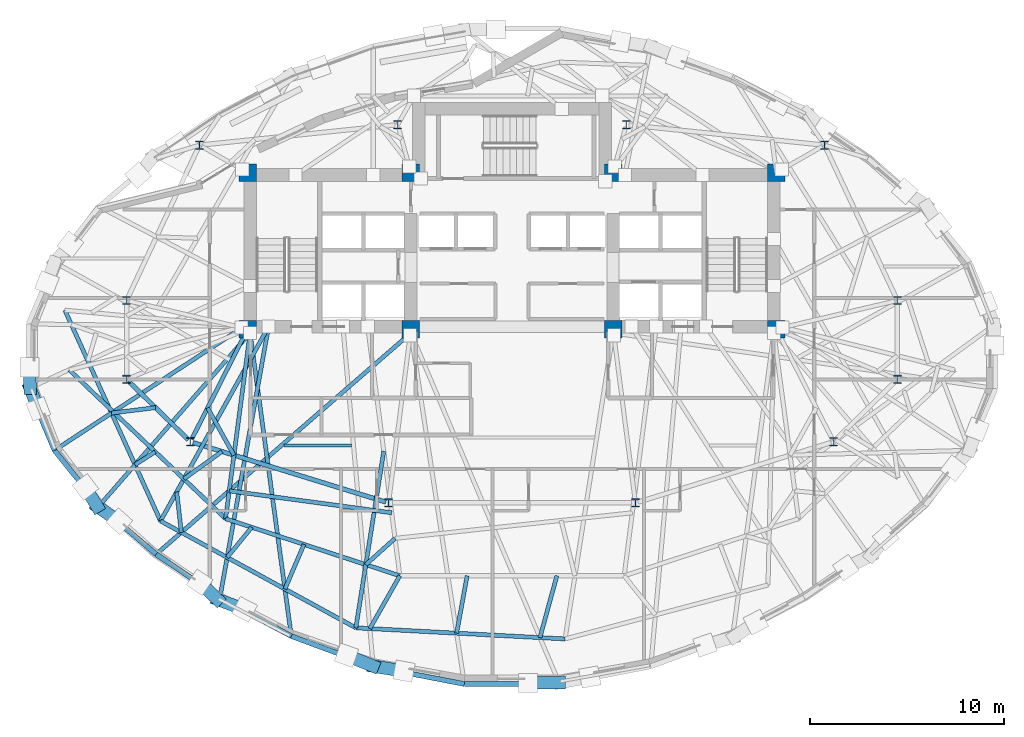
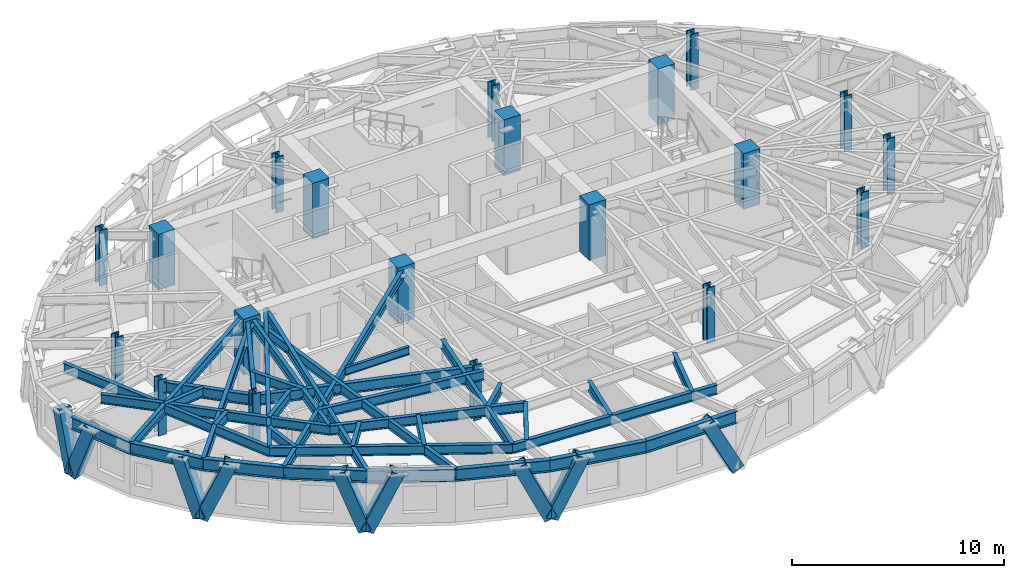
# One storey, part 1 of 14: 37 beams, 20 columns, 9 members.
"""IFC4 building model written with IfcOpenShell, lengths in metres."""

from ifc_helpers import new_model, si_unit, direction, frame, origin, origin_2d, place, context, subcontext, project, spatial, rectangle, hollow_rectangle, i_section, extrude, material, material_profile, profile_set, type_object, element, save


model = new_model("IFC4")

# Units and contexts
model_context = context("Model", 3, precision=1e-05, world=origin(), true_north=direction((0.0, 1.0)))
body_context = subcontext(model_context, "Body", "Model", "MODEL_VIEW")
ifc_project = project(units=[si_unit("LENGTHUNIT", "METRE"), si_unit("AREAUNIT", "SQUARE_METRE"), si_unit("VOLUMEUNIT", "CUBIC_METRE"), si_unit("PLANEANGLEUNIT", "RADIAN"), si_unit("MASSUNIT", "GRAM", prefix="KILO")], contexts=[model_context])

# Site, building, storey
site_placement = place(None, origin())
site = spatial("IfcSite", under=ifc_project, at=site_placement, CompositionType="ELEMENT")
building_placement = place(site_placement, origin())
building = spatial("IfcBuilding", under=site, at=building_placement, Name="Keldmark Tower", CompositionType="ELEMENT")
storey_placement = place(building_placement, frame((0.0, 0.0, 175.800048828125)))
storey = spatial("IfcBuildingStorey", under=building, at=storey_placement, Name="L48", CompositionType="ELEMENT", Elevation=175.800048828125)

# Columns
ifc_material_1 = material(Name="Concrete C50/60", Category="concrete")
ifc_material_profile_1 = material_profile(ifc_material_1, rectangle(XDim=0.89990234375, YDim=0.89990234375, at=origin_2d()), Name="RC900X900")
ifc_profile_set_1 = profile_set([ifc_material_profile_1], Name="Concrete C50/60")
column_type_1 = type_object("IfcColumnType", Name="Core Boundary Column RC900", PredefinedType="COLUMN", material=ifc_profile_set_1)
for number, where, z_axis, x_axis, name in (
    (1, (-13.60009765625, 1.39990234375, 0.0), (0.0, 0.0, 1.0), (1.0, 0.0, 0.0), "L48 Core Boundary Column CC-W1"),
    (2, (-13.60009765625, 9.449951171875, 0.0), (0.0, 0.0, 1.0), (1.0, 0.0, 0.0), "L48 Core Boundary Column CC-W2"),
    (3, (-5.199951171875, 1.39990234375, 0.0), (0.0, 0.0, 1.0), (1.0, 0.0, 0.0), "L48 Core Boundary Column CC-W3"),
    (4, (-5.199951171875, 9.449951171875, 0.0), (0.0, 0.0, 1.0), (1.0, 0.0, 0.0), "L48 Core Boundary Column CC-W4"),
    (5, (5.199951171875, 1.39990234375, 0.0), (0.0, 0.0, 1.0), (1.0, 0.0, 0.0), "L48 Core Boundary Column CC-E1"),
    (6, (5.199951171875, 9.449951171875, 0.0), (0.0, 0.0, 1.0), (1.0, 0.0, 0.0), "L48 Core Boundary Column CC-E2"),
    (7, (13.60009765625, 1.39990234375, 0.0), (0.0, 0.0, 1.0), (1.0, 0.0, 0.0), "L48 Core Boundary Column CC-E3"),
    (8, (13.60009765625, 9.449951171875, 0.0), (0.0, 0.0, 1.0), (1.0, 0.0, 0.0), "L48 Core Boundary Column CC-E4"),
):
    element("IfcColumn", number, at=place(storey_placement, frame(where, z_axis=z_axis, x_axis=x_axis)), inside=storey, type_object=column_type_1, Name=name, PredefinedType="COLUMN", context=body_context, shape_type="SweptSolid", body=[
        extrude(rectangle(XDim=0.89990234375, YDim=0.89990234375, at=origin_2d()), origin(), (0.0, 0.0, 1.0), 3.199951171875),
    ])
ifc_material_2 = material(Name="Steel ASTM A992 Grade 50", Category="steel")
ifc_material_profile_2 = material_profile(ifc_material_2, i_section(OverallWidth=0.412109375, OverallDepth=0.43505859375, WebThickness=0.035888671875, FlangeThickness=0.057373046875, at=origin_2d()), Name="W14X311")
ifc_profile_set_2 = profile_set([ifc_material_profile_2], Name="Steel ASTM A992 Grade 50")
column_type_2 = type_object("IfcColumnType", Name="Tower Gravity Column W14X311", PredefinedType="COLUMN", material=ifc_profile_set_2)
for number, where, z_axis, x_axis, name in (
    (9, (19.828369140625, 2.869140625, 0.0), (0.0, 0.0, 1.0), (1.0, 0.0, 0.0), "L48 Tower Gravity Column TC-E1"),
    (10, (16.08154296875, 10.861083984375, 0.0), (0.0, 0.0, 1.0), (1.0, 0.0, 0.0), "L48 Tower Gravity Column TC-E4"),
    (11, (5.880126953125, 11.915283203125, 0.0), (0.0, 0.0, 1.0), (1.0, 0.0, 0.0), "L48 Tower Gravity Column TC-N2"),
    (12, (-5.880126953125, 11.915283203125, 0.0), (0.0, 0.0, 1.0), (1.0, 0.0, 0.0), "L48 Tower Gravity Column TC-N1"),
    (13, (-16.08154296875, 10.861083984375, 0.0), (0.0, 0.0, 1.0), (1.0, 0.0, 0.0), "L48 Tower Gravity Column TC-W4"),
    (14, (-19.828369140625, 2.869140625, 0.0), (0.0, 0.0, 1.0), (1.0, 0.0, 0.0), "L48 Tower Gravity Column TC-W1"),
    (15, (-19.828369140625, -1.189208984375, 0.0), (0.0, 0.0, 1.0), (1.0, 0.0, 0.0), "L48 Tower Gravity Column TC-W5"),
    (16, (-16.546630859375, -4.3984375, 0.0), (0.0, 0.0, 1.0), (1.0, 0.0, 0.0), "L48 Tower Gravity Column TC-W2"),
    (17, (-6.351318359375, -7.546142578125, 0.0), (0.0, 0.0, 1.0), (1.0, 0.0, 0.0), "L48 Tower Gravity Column TC-W3"),
    (18, (6.351318359375, -7.546142578125, 0.0), (0.0, 0.0, 1.0), (1.0, 0.0, 0.0), "L48 Tower Gravity Column TC-E3"),
    (19, (16.546630859375, -4.3984375, 0.0), (0.0, 0.0, 1.0), (1.0, 0.0, 0.0), "L48 Tower Gravity Column TC-E2"),
    (20, (19.828369140625, -1.189208984375, 0.0), (0.0, 0.0, 1.0), (1.0, 0.0, 0.0), "L48 Tower Gravity Column TC-E5"),
):
    element("IfcColumn", number, at=place(storey_placement, frame(where, z_axis=z_axis, x_axis=x_axis)), inside=storey, type_object=column_type_2, Name=name, PredefinedType="COLUMN", context=body_context, shape_type="SweptSolid", body=[
        extrude(i_section(OverallWidth=0.412109375, OverallDepth=0.43505859375, WebThickness=0.035888671875, FlangeThickness=0.057373046875, at=origin_2d()), origin(), (0.0, 0.0, 1.0), 3.199951171875),
    ])

# Beam
ifc_material_3 = material(Name="Steel ASTM A992 Grade 50", Category="steel")
ifc_material_profile_3 = material_profile(ifc_material_3, i_section(OverallWidth=0.153076171875, OverallDepth=0.455078125, WebThickness=0.008056640625, FlangeThickness=0.01318359375, at=origin_2d()), Name="W18X40")
ifc_profile_set_3 = profile_set([ifc_material_profile_3], Name="Steel ASTM A992 Grade 50")
beam_type_1 = type_object("IfcBeamType", Name="Composite Floor Joist W18X40", PredefinedType="JOIST", material=ifc_profile_set_3)
beam_1_placement = place(storey_placement, frame((-11.728515625, -4.60009765625, 2.79248046875), z_axis=(1.0, 0.0, 0.0), x_axis=(0.0, 1.0, 0.0)))
element("IfcBeam", 21, at=beam_1_placement, inside=storey, type_object=beam_type_1, Name="L48 Composite Floor Joist J01", PredefinedType="JOIST", context=body_context, shape_type="SweptSolid", body=[
    extrude(i_section(OverallWidth=0.153076171875, OverallDepth=0.455078125, WebThickness=0.008056640625, FlangeThickness=0.01318359375, at=origin_2d()), origin(), (0.0, 0.0, 1.0), 3.478515625),
])

# Members
ifc_material_4 = material(Name="Steel ASTM A572 Grade 50", Category="steel")
ifc_material_profile_4 = material_profile(ifc_material_4, hollow_rectangle(XDim=0.64990234375, YDim=0.64990234375, WallThickness=0.0400390625, at=origin_2d()), Name="BOX650X650X40")
ifc_profile_set_4 = profile_set([ifc_material_profile_4], Name="Steel ASTM A572 Grade 50")
member_type = type_object("IfcMemberType", Name="Diagrid Zone 3 Brace BOX650X650X40", PredefinedType="BRACE", material=ifc_profile_set_4)
member_1_placement = place(storey_placement, frame((-24.7958984375, -1.665283203125, -0.260009765625), z_axis=(-0.006709048193, 0.330274774631, 0.943860986541), x_axis=(-0.999793743978, -0.020309345208, 0.0)))
element("IfcMember", 22, at=member_1_placement, inside=storey, type_object=member_type, Name="L48 Perimeter Diagrid Brace 08B", PredefinedType="BRACE", context=body_context, shape_type="SweptSolid", body=[
    extrude(hollow_rectangle(XDim=0.64990234375, YDim=0.64990234375, WallThickness=0.0400390625, at=origin_2d()), origin(), (0.0, 0.0, 1.0), 3.347900390625),
])
member_2_placement = place(storey_placement, frame((-24.7958984375, -1.653564453125, -0.260009765625), z_axis=(0.126271665674, -0.315897124482, 0.940353376764), x_axis=(0.928565034842, 0.371169740238, 0.0)))
element("IfcMember", 23, at=member_2_placement, inside=storey, type_object=member_type, Name="L48 Perimeter Diagrid Brace 09A", PredefinedType="BRACE", context=body_context, shape_type="SweptSolid", body=[
    extrude(hollow_rectangle(XDim=0.64990234375, YDim=0.64990234375, WallThickness=0.0400390625, at=origin_2d()), origin(), (0.0, 0.0, 1.0), 3.3603515625),
])
member_3_placement = place(storey_placement, frame((-21.343017578125, -7.73681640625, -0.260009765625), z_axis=(-0.179834948467, 0.2993629275, 0.937038541869), x_axis=(-0.857218425589, -0.514952979242, 0.0)))
element("IfcMember", 24, at=member_3_placement, inside=storey, type_object=member_type, Name="L48 Perimeter Diagrid Brace 09B", PredefinedType="BRACE", context=body_context, shape_type="SweptSolid", body=[
    extrude(hollow_rectangle(XDim=0.64990234375, YDim=0.64990234375, WallThickness=0.0400390625, at=origin_2d()), origin(), (0.0, 0.0, 1.0), 3.372314453125),
])
member_4_placement = place(storey_placement, frame((-21.347412109375, -7.72607421875, -0.260009765625), z_axis=(0.329891154816, -0.224036905397, 0.917049230409), x_axis=(0.561814213615, 0.827263434089, 0.0)))
element("IfcMember", 25, at=member_4_placement, inside=storey, type_object=member_type, Name="L48 Perimeter Diagrid Brace 10A", PredefinedType="BRACE", context=body_context, shape_type="SweptSolid", body=[
    extrude(hollow_rectangle(XDim=0.64990234375, YDim=0.64990234375, WallThickness=0.0400390625, at=origin_2d()), origin(), (0.0, 0.0, 1.0), 3.44580078125),
])
member_5_placement = place(storey_placement, frame((-15.149658203125, -12.51416015625, -0.260009765625), z_axis=(-0.270898931054, 0.259080230995, 0.927087484039), x_axis=(-0.6911662417, -0.722695804841, 0.0)))
element("IfcMember", 26, at=member_5_placement, inside=storey, type_object=member_type, Name="L48 Perimeter Diagrid Brace 10B", PredefinedType="BRACE", context=body_context, shape_type="SweptSolid", body=[
    extrude(hollow_rectangle(XDim=0.64990234375, YDim=0.64990234375, WallThickness=0.0400390625, at=origin_2d()), origin(), (0.0, 0.0, 1.0), 3.408447265625),
])
member_6_placement = place(storey_placement, frame((-15.157958984375, -12.505859375, -0.260009765625), z_axis=(0.399279775815, -0.149354258868, 0.90458220521), x_axis=(0.350350758681, 0.936618570119, 0.0)))
element("IfcMember", 27, at=member_6_placement, inside=storey, type_object=member_type, Name="L48 Perimeter Diagrid Brace 11A", PredefinedType="BRACE", context=body_context, shape_type="SweptSolid", body=[
    extrude(hollow_rectangle(XDim=0.64990234375, YDim=0.64990234375, WallThickness=0.0400390625, at=origin_2d()), origin(), (0.0, 0.0, 1.0), 3.4931640625),
])
member_7_placement = place(storey_placement, frame((-7.131103515625, -15.947021484375, -0.260009765625), z_axis=(-0.396275114134, 0.160772878522, 0.903945858694), x_axis=(-0.375947709667, -0.926640879519, 0.0)))
element("IfcMember", 28, at=member_7_placement, inside=storey, type_object=member_type, Name="L48 Perimeter Diagrid Brace 11B", PredefinedType="BRACE", context=body_context, shape_type="SweptSolid", body=[
    extrude(hollow_rectangle(XDim=0.64990234375, YDim=0.64990234375, WallThickness=0.0400390625, at=origin_2d()), origin(), (0.0, 0.0, 1.0), 3.49560546875),
])
member_8_placement = place(storey_placement, frame((-7.14208984375, -15.9423828125, -0.260009765625), z_axis=(0.446588998509, -0.0733061855, 0.891731164409), x_axis=(0.161979173722, 0.986794176756, 0.0)))
element("IfcMember", 29, at=member_8_placement, inside=storey, type_object=member_type, Name="L48 Perimeter Diagrid Brace 12A", PredefinedType="BRACE", context=body_context, shape_type="SweptSolid", body=[
    extrude(hollow_rectangle(XDim=0.64990234375, YDim=0.64990234375, WallThickness=0.0400390625, at=origin_2d()), origin(), (0.0, 0.0, 1.0), 3.54345703125),
])
member_9_placement = place(storey_placement, frame((2.4541015625, -16.7900390625, -0.260009765625), z_axis=(-0.458733059239, -0.004325079726, 0.888563601576), x_axis=(0.009427895848, -0.999955556402, 0.0)))
element("IfcMember", 30, at=member_9_placement, inside=storey, type_object=member_type, Name="L48 Perimeter Diagrid Brace 12B", PredefinedType="BRACE", context=body_context, shape_type="SweptSolid", body=[
    extrude(hollow_rectangle(XDim=0.64990234375, YDim=0.64990234375, WallThickness=0.0400390625, at=origin_2d()), origin(), (0.0, 0.0, 1.0), 3.55615234375),
])

# Beams
ifc_material_5 = material(Name="Steel ASTM A992 Grade 50", Category="steel")
ifc_material_profile_5 = material_profile(ifc_material_5, i_section(OverallWidth=0.22900390625, OverallDepth=0.612060546875, WebThickness=0.011962890625, FlangeThickness=0.01953125, at=origin_2d()), Name="W24X84")
ifc_profile_set_5 = profile_set([ifc_material_profile_5], Name="Steel ASTM A992 Grade 50")
beam_type_2 = type_object("IfcBeamType", Name="Primary Floor Girder W24X84", PredefinedType="BEAM", material=ifc_profile_set_5)
beam_2_placement = place(storey_placement, frame((-19.728271484375, -1.287109375, 2.7138671875), z_axis=(0.714964509815, -0.699160746684, 0.0), x_axis=(0.699160746684, 0.714964509815, 0.0)))
element("IfcBeam", 31, at=beam_2_placement, inside=storey, type_object=beam_type_2, Name="L48 Floor Ring Girder FG-R07", PredefinedType="BEAM", context=body_context, shape_type="SweptSolid", body=[
    extrude(i_section(OverallWidth=0.22900390625, OverallDepth=0.612060546875, WebThickness=0.011962890625, FlangeThickness=0.01953125, at=origin_2d()), origin(), (0.0, 0.0, 1.0), 4.31005859375),
])
beam_3_placement = place(storey_placement, frame((-16.412841796875, -4.439697265625, 2.7138671875), z_axis=(0.955494563145, -0.295008711398, 0.0), x_axis=(0.295008711398, 0.955494563145, 0.0)))
element("IfcBeam", 32, at=beam_3_placement, inside=storey, type_object=beam_type_2, Name="L48 Floor Ring Girder FG-R08", PredefinedType="BEAM", context=body_context, shape_type="SweptSolid", body=[
    extrude(i_section(OverallWidth=0.22900390625, OverallDepth=0.612060546875, WebThickness=0.011962890625, FlangeThickness=0.01953125, at=origin_2d()), origin(), (0.0, 0.0, 1.0), 10.39013671875),
])
ifc_material_6 = material(Name="Steel ASTM A992 Grade 50", Category="steel")
ifc_material_profile_6 = material_profile(ifc_material_6, i_section(OverallWidth=0.2099609375, OverallDepth=0.537109375, WebThickness=0.010986328125, FlangeThickness=0.017333984375, at=origin_2d()), Name="W21X68")
ifc_profile_set_6 = profile_set([ifc_material_profile_6], Name="Steel ASTM A992 Grade 50")
beam_type_3 = type_object("IfcBeamType", Name="Radial Tie Girder W21X68", PredefinedType="BEAM", material=ifc_profile_set_6)
beam_4_placement = place(storey_placement, frame((-16.4833984375, -4.273681640625, 2.75146484375), z_axis=(0.453036691775, 0.891491870914, 0.0), x_axis=(-0.891491870914, 0.453036691775, 0.0)))
element("IfcBeam", 33, at=beam_4_placement, inside=storey, type_object=beam_type_3, Name="L48 Floor Radial Girder FG-C08", PredefinedType="BEAM", context=body_context, shape_type="SweptSolid", body=[
    extrude(i_section(OverallWidth=0.2099609375, OverallDepth=0.537109375, WebThickness=0.010986328125, FlangeThickness=0.017333984375, at=origin_2d()), origin(), (0.0, 0.0, 1.0), 6.044189453125),
])
beam_5_placement = place(storey_placement, frame((-15.661865234375, -2.6572265625, 2.75146484375), z_axis=(0.486899907892, -0.87345777213, 0.0), x_axis=(0.87345777213, 0.486899907892, 0.0)))
element("IfcBeam", 34, at=beam_5_placement, inside=storey, type_object=beam_type_3, Name="L48 Framing Pin Header PH-004", PredefinedType="BEAM", context=body_context, shape_type="SweptSolid", body=[
    extrude(i_section(OverallWidth=0.2099609375, OverallDepth=0.537109375, WebThickness=0.010986328125, FlangeThickness=0.017333984375, at=origin_2d()), origin(), (0.0, 0.0, 1.0), 2.785888671875),
])
beam_6_placement = place(storey_placement, frame((-13.47509765625, 1.199951171875, 2.75146484375), z_axis=(-0.130863236216, -0.991400430405, 0.0), x_axis=(0.991400430405, -0.130863236216, 0.0)))
element("IfcBeam", 35, at=beam_6_placement, inside=storey, type_object=beam_type_3, Name="L48 Sub-Ring Step Girder STP1-M08", PredefinedType="BEAM", context=body_context, shape_type="SweptSolid", body=[
    extrude(i_section(OverallWidth=0.2099609375, OverallDepth=0.537109375, WebThickness=0.010986328125, FlangeThickness=0.017333984375, at=origin_2d()), origin(), (0.0, 0.0, 1.0), 9.6416015625),
])
beam_7_placement = place(storey_placement, frame((-14.54736328125, -6.9248046875, 2.75146484375), z_axis=(0.991015778155, -0.133745009058, 0.0), x_axis=(0.133745009058, 0.991015778155, 0.0)))
element("IfcBeam", 36, at=beam_7_placement, inside=storey, type_object=beam_type_3, Name="L48 Framing Pin Header PH-005", PredefinedType="BEAM", context=body_context, shape_type="SweptSolid", body=[
    extrude(i_section(OverallWidth=0.2099609375, OverallDepth=0.537109375, WebThickness=0.010986328125, FlangeThickness=0.017333984375, at=origin_2d()), origin(), (0.0, 0.0, 1.0), 8.433349609375),
])
beam_8_placement = place(storey_placement, frame((-22.778076171875, -0.703369140625, 2.75146484375), z_axis=(0.724275973377, -0.689510198901, 0.0), x_axis=(0.689510198901, 0.724275973377, 0.0)))
element("IfcBeam", 37, at=beam_8_placement, inside=storey, type_object=beam_type_3, Name="L48 Perimeter Collector Ring Beam CRG1-M07", PredefinedType="BEAM", context=body_context, shape_type="SweptSolid", body=[
    extrude(i_section(OverallWidth=0.2099609375, OverallDepth=0.537109375, WebThickness=0.010986328125, FlangeThickness=0.017333984375, at=origin_2d()), origin(), (0.0, 0.0, 1.0), 11.1025390625),
])
beam_9_placement = place(storey_placement, frame((-14.73681640625, -8.358642578125, 2.75146484375), z_axis=(0.950359704964, -0.311153388508, 0.0), x_axis=(0.311153388508, 0.950359704964, 0.0)))
element("IfcBeam", 38, at=beam_9_placement, inside=storey, type_object=beam_type_3, Name="L48 Perimeter Collector Ring Beam CRG1-M08", PredefinedType="BEAM", context=body_context, shape_type="SweptSolid", body=[
    extrude(i_section(OverallWidth=0.2099609375, OverallDepth=0.537109375, WebThickness=0.010986328125, FlangeThickness=0.017333984375, at=origin_2d()), origin(), (0.0, 0.0, 1.0), 9.43359375),
])
beam_10_placement = place(storey_placement, frame((-14.923583984375, -4.8994140625, 2.75146484375), z_axis=(-0.810348882609, -0.58594768406, 0.0), x_axis=(0.58594768406, -0.810348882609, 0.0)))
element("IfcBeam", 39, at=beam_10_placement, inside=storey, type_object=beam_type_3, Name="L48 Framing Pin Header PH-010", PredefinedType="BEAM", context=body_context, shape_type="SweptSolid", body=[
    extrude(i_section(OverallWidth=0.2099609375, OverallDepth=0.537109375, WebThickness=0.010986328125, FlangeThickness=0.017333984375, at=origin_2d()), origin(), (0.0, 0.0, 1.0), 2.41748046875),
])
beam_11_placement = place(storey_placement, frame((-12.52490234375, 1.52490234375, 2.75146484375), z_axis=(-0.485780627661, -0.874080763882, 0.0), x_axis=(0.874080763882, -0.485780627661, 0.0)))
element("IfcBeam", 40, at=beam_11_placement, inside=storey, type_object=beam_type_3, Name="L48 Sub-Ring Step Girder STP2-M08", PredefinedType="BEAM", context=body_context, shape_type="SweptSolid", body=[
    extrude(i_section(OverallWidth=0.2099609375, OverallDepth=0.537109375, WebThickness=0.010986328125, FlangeThickness=0.017333984375, at=origin_2d()), origin(), (0.0, 0.0, 1.0), 11.440673828125),
])
beam_12_placement = place(storey_placement, frame((-6.01953125, -9.37109375, 2.75146484375), z_axis=(-0.743203932268, -0.669064955786, 0.0), x_axis=(0.669064955786, -0.743203932268, 0.0)))
element("IfcBeam", 41, at=beam_12_placement, inside=storey, type_object=beam_type_3, Name="L48 Framing Pin Header PH-011", PredefinedType="BEAM", context=body_context, shape_type="SweptSolid", body=[
    extrude(i_section(OverallWidth=0.2099609375, OverallDepth=0.537109375, WebThickness=0.010986328125, FlangeThickness=0.017333984375, at=origin_2d()), origin(), (0.0, 0.0, 1.0), 2.0185546875),
])
beam_13_placement = place(storey_placement, frame((-6.598388671875, -4.884521484375, 2.75146484375), z_axis=(-0.155908072962, -0.987771569132, 0.0), x_axis=(0.987771569132, -0.155908072962, 0.0)))
element("IfcBeam", 42, at=beam_13_placement, inside=storey, type_object=beam_type_3, Name="L48 Sub-Ring Step Girder STP2-M09", PredefinedType="BEAM", context=body_context, shape_type="SweptSolid", body=[
    extrude(i_section(OverallWidth=0.2099609375, OverallDepth=0.537109375, WebThickness=0.010986328125, FlangeThickness=0.017333984375, at=origin_2d()), origin(), (0.0, 0.0, 1.0), 9.201416015625),
])
beam_14_placement = place(storey_placement, frame((-23.005126953125, 2.371337890625, 2.75146484375), z_axis=(0.413274733961, -0.910606388221, 0.0), x_axis=(0.910606388221, 0.413274733961, 0.0)))
element("IfcBeam", 43, at=beam_14_placement, inside=storey, type_object=beam_type_3, Name="L48 Perimeter Collector Ring Beam CRG2-M07", PredefinedType="BEAM", context=body_context, shape_type="SweptSolid", body=[
    extrude(i_section(OverallWidth=0.2099609375, OverallDepth=0.537109375, WebThickness=0.010986328125, FlangeThickness=0.017333984375, at=origin_2d()), origin(), (0.0, 0.0, 1.0), 11.9111328125),
])
beam_15_placement = place(storey_placement, frame((-18.08251953125, -8.47509765625, 2.75146484375), z_axis=(0.877281544971, -0.479976135712, 0.0), x_axis=(0.479976135712, 0.877281544971, 0.0)))
element("IfcBeam", 44, at=beam_15_placement, inside=storey, type_object=beam_type_3, Name="L48 Perimeter Collector Ring Beam CRG2-M08", PredefinedType="BEAM", context=body_context, shape_type="SweptSolid", body=[
    extrude(i_section(OverallWidth=0.2099609375, OverallDepth=0.537109375, WebThickness=0.010986328125, FlangeThickness=0.017333984375, at=origin_2d()), origin(), (0.0, 0.0, 1.0), 11.455322265625),
])
beam_16_placement = place(storey_placement, frame((-8.032958984375, -13.973388671875, 2.75146484375), z_axis=(0.998597795878, -0.052938096565, 0.0), x_axis=(0.052938096565, 0.998597795878, 0.0)))
element("IfcBeam", 45, at=beam_16_placement, inside=storey, type_object=beam_type_3, Name="L48 Perimeter Collector Ring Beam CRG2-M09", PredefinedType="BEAM", context=body_context, shape_type="SweptSolid", body=[
    extrude(i_section(OverallWidth=0.2099609375, OverallDepth=0.537109375, WebThickness=0.010986328125, FlangeThickness=0.017333984375, at=origin_2d()), origin(), (0.0, 0.0, 1.0), 10.77783203125),
])
beam_17_placement = place(storey_placement, frame((-18.341552734375, -2.643310546875, 2.75146484375), z_axis=(-0.992498814893, -0.122254253243, 0.0), x_axis=(0.122254253243, -0.992498814893, 0.0)))
element("IfcBeam", 46, at=beam_17_placement, inside=storey, type_object=beam_type_3, Name="L48 Framing Pin Header PH-028", PredefinedType="BEAM", context=body_context, shape_type="SweptSolid", body=[
    extrude(i_section(OverallWidth=0.2099609375, OverallDepth=0.537109375, WebThickness=0.010986328125, FlangeThickness=0.017333984375, at=origin_2d()), origin(), (0.0, 0.0, 1.0), 2.278564453125),
])
beam_18_placement = place(storey_placement, frame((-13.800048828125, 1.52490234375, 2.75146484375), z_axis=(-0.83704613196, -0.547132317608, 0.0), x_axis=(0.547132317608, -0.83704613196, 0.0)))
element("IfcBeam", 47, at=beam_18_placement, inside=storey, type_object=beam_type_3, Name="L48 Perimeter Radial Tie Girder RT-18", PredefinedType="BEAM", context=body_context, shape_type="SweptSolid", body=[
    extrude(i_section(OverallWidth=0.2099609375, OverallDepth=0.537109375, WebThickness=0.010986328125, FlangeThickness=0.017333984375, at=origin_2d()), origin(), (0.0, 0.0, 1.0), 11.6337890625),
])
beam_19_placement = place(storey_placement, frame((-18.355224609375, -4.913818359375, 2.75146484375), z_axis=(-0.841197717745, -0.540727657569, 0.0), x_axis=(0.540727657569, -0.841197717745, 0.0)))
element("IfcBeam", 48, at=beam_19_placement, inside=storey, type_object=beam_type_3, Name="L48 Framing Pin Header PH-029", PredefinedType="BEAM", context=body_context, shape_type="SweptSolid", body=[
    extrude(i_section(OverallWidth=0.2099609375, OverallDepth=0.537109375, WebThickness=0.010986328125, FlangeThickness=0.017333984375, at=origin_2d()), origin(), (0.0, 0.0, 1.0), 1.236572265625),
])
beam_20_placement = place(storey_placement, frame((-13.47509765625, 1.199951171875, 2.75146484375), z_axis=(-0.657615748594, -0.753353520733, 0.0), x_axis=(0.753353520733, -0.657615748594, 0.0)))
element("IfcBeam", 49, at=beam_20_placement, inside=storey, type_object=beam_type_3, Name="L48 Perimeter Radial Tie Girder RT-19", PredefinedType="BEAM", context=body_context, shape_type="SweptSolid", body=[
    extrude(i_section(OverallWidth=0.2099609375, OverallDepth=0.537109375, WebThickness=0.010986328125, FlangeThickness=0.017333984375, at=origin_2d()), origin(), (0.0, 0.0, 1.0), 11.8095703125),
])
beam_21_placement = place(storey_placement, frame((-17.2490234375, -6.97509765625, 2.75146484375), z_axis=(0.112601699667, -0.993640205121, 0.0), x_axis=(0.993640205121, 0.112601699667, 0.0)))
element("IfcBeam", 50, at=beam_21_placement, inside=storey, type_object=beam_type_3, Name="L48 Framing Pin Header PH-030", PredefinedType="BEAM", context=body_context, shape_type="SweptSolid", body=[
    extrude(i_section(OverallWidth=0.2099609375, OverallDepth=0.537109375, WebThickness=0.010986328125, FlangeThickness=0.017333984375, at=origin_2d()), origin(), (0.0, 0.0, 1.0), 2.098876953125),
])
beam_22_placement = place(storey_placement, frame((-5.199951171875, 1.199951171875, 2.75146484375), z_axis=(-0.754973211141, -0.655755633189, 0.0), x_axis=(0.655755633189, -0.754973211141, 0.0)))
element("IfcBeam", 51, at=beam_22_placement, inside=storey, type_object=beam_type_3, Name="L48 Perimeter Radial Tie Girder RT-20", PredefinedType="BEAM", context=body_context, shape_type="SweptSolid", body=[
    extrude(i_section(OverallWidth=0.2099609375, OverallDepth=0.537109375, WebThickness=0.010986328125, FlangeThickness=0.017333984375, at=origin_2d()), origin(), (0.0, 0.0, 1.0), 17.3623046875),
])
beam_23_placement = place(storey_placement, frame((-13.391845703125, -8.798828125, 2.75146484375), z_axis=(-0.631442065092, -0.775423057712, 0.0), x_axis=(0.775423057712, -0.631442065092, 0.0)))
element("IfcBeam", 52, at=beam_23_placement, inside=storey, type_object=beam_type_3, Name="L48 Framing Pin Header PH-031", PredefinedType="BEAM", context=body_context, shape_type="SweptSolid", body=[
    extrude(i_section(OverallWidth=0.2099609375, OverallDepth=0.537109375, WebThickness=0.010986328125, FlangeThickness=0.017333984375, at=origin_2d()), origin(), (0.0, 0.0, 1.0), 2.0009765625),
])
beam_24_placement = place(storey_placement, frame((-12.52490234375, 1.52490234375, 2.75146484375), z_axis=(-0.176572397441, -0.984287655344, 0.0), x_axis=(0.984287655344, -0.176572397441, 0.0)))
element("IfcBeam", 53, at=beam_24_placement, inside=storey, type_object=beam_type_3, Name="L48 Perimeter Radial Tie Girder RT-21", PredefinedType="BEAM", context=body_context, shape_type="SweptSolid", body=[
    extrude(i_section(OverallWidth=0.2099609375, OverallDepth=0.537109375, WebThickness=0.010986328125, FlangeThickness=0.017333984375, at=origin_2d()), origin(), (0.0, 0.0, 1.0), 14.158447265625),
])
beam_25_placement = place(storey_placement, frame((-10.702392578125, -9.679443359375, 2.75146484375), z_axis=(-0.392680154302, -0.919675103728, 0.0), x_axis=(0.919675103728, -0.392680154302, 0.0)))
element("IfcBeam", 54, at=beam_25_placement, inside=storey, type_object=beam_type_3, Name="L48 Framing Pin Header PH-032", PredefinedType="BEAM", context=body_context, shape_type="SweptSolid", body=[
    extrude(i_section(OverallWidth=0.2099609375, OverallDepth=0.537109375, WebThickness=0.010986328125, FlangeThickness=0.017333984375, at=origin_2d()), origin(), (0.0, 0.0, 1.0), 2.49755859375),
])
beam_26_placement = place(storey_placement, frame((-13.47509765625, 1.199951171875, 2.75146484375), z_axis=(0.134746421028, -0.990880114858, 0.0), x_axis=(0.990880114858, 0.134746421028, 0.0)))
element("IfcBeam", 55, at=beam_26_placement, inside=storey, type_object=beam_type_3, Name="L48 Perimeter Radial Tie Girder RT-22", PredefinedType="BEAM", context=body_context, shape_type="SweptSolid", body=[
    extrude(i_section(OverallWidth=0.2099609375, OverallDepth=0.537109375, WebThickness=0.010986328125, FlangeThickness=0.017333984375, at=origin_2d()), origin(), (0.0, 0.0, 1.0), 15.7431640625),
])
beam_27_placement = place(storey_placement, frame((-5.771484375, -11.2939453125, 2.75146484375), z_axis=(-0.493570380489, -0.869705858037, 0.0), x_axis=(0.869705858037, -0.493570380489, 0.0)))
element("IfcBeam", 56, at=beam_27_placement, inside=storey, type_object=beam_type_3, Name="L48 Framing Pin Header PH-033", PredefinedType="BEAM", context=body_context, shape_type="SweptSolid", body=[
    extrude(i_section(OverallWidth=0.2099609375, OverallDepth=0.537109375, WebThickness=0.010986328125, FlangeThickness=0.017333984375, at=origin_2d()), origin(), (0.0, 0.0, 1.0), 3.124755859375),
])
beam_28_placement = place(storey_placement, frame((-2.30859375, -11.2939453125, 2.75146484375), z_axis=(-0.179815325433, -0.983700385656, 0.0), x_axis=(0.983700385656, -0.179815325433, 0.0)))
element("IfcBeam", 57, at=beam_28_placement, inside=storey, type_object=beam_type_3, Name="L48 Framing Pin Header PH-034", PredefinedType="BEAM", context=body_context, shape_type="SweptSolid", body=[
    extrude(i_section(OverallWidth=0.2099609375, OverallDepth=0.537109375, WebThickness=0.010986328125, FlangeThickness=0.017333984375, at=origin_2d()), origin(), (0.0, 0.0, 1.0), 3.00341796875),
])
beam_29_placement = place(storey_placement, frame((2.30859375, -11.2939453125, 2.75146484375), z_axis=(-0.263793735319, -0.964579112985, 0.0), x_axis=(0.964579112985, -0.263793735319, 0.0)))
element("IfcBeam", 58, at=beam_29_placement, inside=storey, type_object=beam_type_3, Name="L48 Framing Pin Header PH-035", PredefinedType="BEAM", context=body_context, shape_type="SweptSolid", body=[
    extrude(i_section(OverallWidth=0.2099609375, OverallDepth=0.537109375, WebThickness=0.010986328125, FlangeThickness=0.017333984375, at=origin_2d()), origin(), (0.0, 0.0, 1.0), 3.298583984375),
])
ifc_material_7 = material(Name="Steel ASTM A992 Grade 50", Category="steel")
ifc_material_profile_7 = material_profile(ifc_material_7, i_section(OverallWidth=0.256103515625, OverallDepth=0.693115234375, WebThickness=0.014404296875, FlangeThickness=0.023681640625, at=origin_2d()), Name="W27X114")
ifc_profile_set_7 = profile_set([ifc_material_profile_7], Name="Steel ASTM A992 Grade 50")
beam_type_4 = type_object("IfcBeamType", Name="Spandrel Ring Beam W27X114", PredefinedType="SPANDREL", material=ifc_profile_set_7)
beam_30_placement = place(storey_placement, frame((-24.8779296875, -1.6611328125, 2.67333984375), z_axis=(0.388360687569, -0.9215074478, 0.0), x_axis=(0.9215074478, 0.388360687569, 0.0)))
element("IfcBeam", 59, at=beam_30_placement, inside=storey, type_object=beam_type_4, Name="L48 Perimeter Spandrel Ring Beam SRB-17", PredefinedType="SPANDREL", context=body_context, shape_type="SweptSolid", body=[
    extrude(i_section(OverallWidth=0.256103515625, OverallDepth=0.693115234375, WebThickness=0.014404296875, FlangeThickness=0.023681640625, at=origin_2d()), origin(), (0.0, 0.0, 1.0), 3.449951171875),
])
beam_31_placement = place(storey_placement, frame((-23.5380859375, -4.84033203125, 2.67333984375), z_axis=(0.626642586146, -0.779306787618, 0.0), x_axis=(0.779306787618, 0.626642586146, 0.0)))
element("IfcBeam", 60, at=beam_31_placement, inside=storey, type_object=beam_type_4, Name="L48 Perimeter Spandrel Ring Beam SRB-18", PredefinedType="SPANDREL", context=body_context, shape_type="SweptSolid", body=[
    extrude(i_section(OverallWidth=0.256103515625, OverallDepth=0.693115234375, WebThickness=0.014404296875, FlangeThickness=0.023681640625, at=origin_2d()), origin(), (0.0, 0.0, 1.0), 3.665283203125),
])
beam_32_placement = place(storey_placement, frame((-21.2412109375, -7.69677734375, 2.67333984375), z_axis=(0.762499647343, -0.646988630349, 0.0), x_axis=(0.646988630349, 0.762499647343, 0.0)))
element("IfcBeam", 61, at=beam_32_placement, inside=storey, type_object=beam_type_4, Name="L48 Perimeter Spandrel Ring Beam SRB-19", PredefinedType="SPANDREL", context=body_context, shape_type="SweptSolid", body=[
    extrude(i_section(OverallWidth=0.256103515625, OverallDepth=0.693115234375, WebThickness=0.014404296875, FlangeThickness=0.023681640625, at=origin_2d()), origin(), (0.0, 0.0, 1.0), 3.8466796875),
])
beam_33_placement = place(storey_placement, frame((-18.30810546875, -10.185546875, 2.67333984375), z_axis=(0.827745323175, -0.561103983199, 0.0), x_axis=(0.561103983199, 0.827745323175, 0.0)))
element("IfcBeam", 62, at=beam_33_placement, inside=storey, type_object=beam_type_4, Name="L48 Perimeter Spandrel Ring Beam SRB-20", PredefinedType="SPANDREL", context=body_context, shape_type="SweptSolid", body=[
    extrude(i_section(OverallWidth=0.256103515625, OverallDepth=0.693115234375, WebThickness=0.014404296875, FlangeThickness=0.023681640625, at=origin_2d()), origin(), (0.0, 0.0, 1.0), 3.966552734375),
])
beam_34_placement = place(storey_placement, frame((-15.02490234375, -12.4111328125, 2.67333984375), z_axis=(0.879292986909, -0.476281264772, 0.0), x_axis=(0.476281264772, 0.879292986909, 0.0)))
element("IfcBeam", 63, at=beam_34_placement, inside=storey, type_object=beam_type_4, Name="L48 Perimeter Spandrel Ring Beam SRB-21", PredefinedType="SPANDREL", context=body_context, shape_type="SweptSolid", body=[
    extrude(i_section(OverallWidth=0.256103515625, OverallDepth=0.693115234375, WebThickness=0.014404296875, FlangeThickness=0.023681640625, at=origin_2d()), origin(), (0.0, 0.0, 1.0), 4.175048828125),
])
beam_35_placement = place(storey_placement, frame((-11.353759765625, -14.399658203125, 2.67333984375), z_axis=(0.938000261219, -0.346634548123, 0.0), x_axis=(0.346634548123, 0.938000261219, 0.0)))
element("IfcBeam", 64, at=beam_35_placement, inside=storey, type_object=beam_type_4, Name="L48 Perimeter Spandrel Ring Beam SRB-22", PredefinedType="SPANDREL", context=body_context, shape_type="SweptSolid", body=[
    extrude(i_section(OverallWidth=0.256103515625, OverallDepth=0.693115234375, WebThickness=0.014404296875, FlangeThickness=0.023681640625, at=origin_2d()), origin(), (0.0, 0.0, 1.0), 4.4921875),
])
beam_36_placement = place(storey_placement, frame((-7.14013671875, -15.956787109375, 2.67333984375), z_axis=(0.981761392156, -0.190117250329, 0.0), x_axis=(0.190117250329, 0.981761392156, 0.0)))
element("IfcBeam", 65, at=beam_36_placement, inside=storey, type_object=beam_type_4, Name="L48 Perimeter Spandrel Ring Beam SRB-23", PredefinedType="SPANDREL", context=body_context, shape_type="SweptSolid", body=[
    extrude(i_section(OverallWidth=0.256103515625, OverallDepth=0.693115234375, WebThickness=0.014404296875, FlangeThickness=0.023681640625, at=origin_2d()), origin(), (0.0, 0.0, 1.0), 4.777099609375),
])
beam_37_placement = place(storey_placement, frame((-2.4501953125, -16.864990234375, 2.67333984375), z_axis=(1.0, 0.0, 0.0), x_axis=(0.0, 1.0, 0.0)))
element("IfcBeam", 66, at=beam_37_placement, inside=storey, type_object=beam_type_4, Name="L48 Perimeter Spandrel Ring Beam SRB-24", PredefinedType="SPANDREL", context=body_context, shape_type="SweptSolid", body=[
    extrude(i_section(OverallWidth=0.256103515625, OverallDepth=0.693115234375, WebThickness=0.014404296875, FlangeThickness=0.023681640625, at=origin_2d()), origin(), (0.0, 0.0, 1.0), 4.900390625),
])

save(model, "model.ifc")
